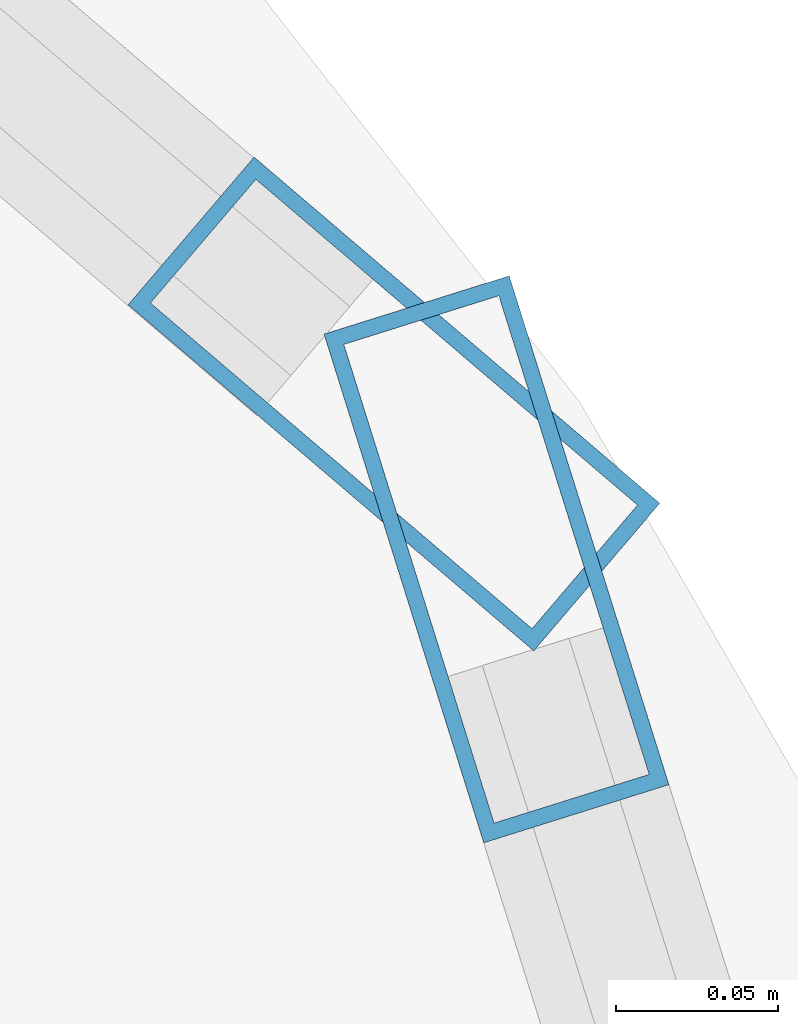
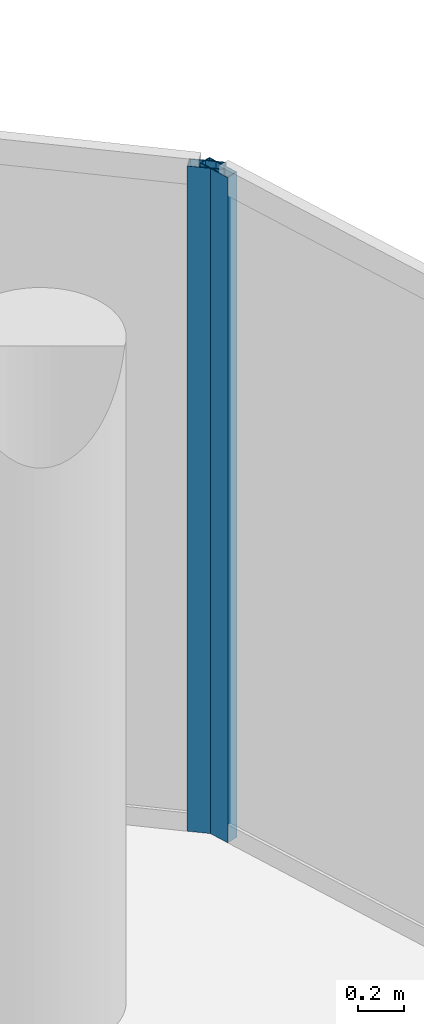
# One storey, part 14 of 24: 2 members, 2 elements without a shape of their own.
"""IFC4 building model written with IfcOpenShell, lengths in metres."""

from ifc_helpers import new_model, si_unit, direction, frame, origin, origin_2d, place, context, subcontext, project, spatial, hollow_rectangle, extrude, material, layer, layer_set, material_profile, profile_set, type_object, element, aggregate, save


model = new_model("IFC4")

# Units and contexts
model_context = context("Model", 3, precision=1e-05, world=origin(), true_north=direction((0.0, 1.0)))
body_context = subcontext(model_context, "Body", "Model", "MODEL_VIEW")
ifc_project = project(units=[si_unit("LENGTHUNIT", "METRE"), si_unit("AREAUNIT", "SQUARE_METRE"), si_unit("VOLUMEUNIT", "CUBIC_METRE"), si_unit("PLANEANGLEUNIT", "RADIAN"), si_unit("MASSUNIT", "GRAM", prefix="KILO")], contexts=[model_context])

# Site, building, storey
site_placement = place(None, origin())
site = spatial("IfcSite", under=ifc_project, at=site_placement, CompositionType="ELEMENT")
building_placement = place(site_placement, origin())
building = spatial("IfcBuilding", under=site, at=building_placement, Name="Nuhasar Tower", CompositionType="ELEMENT")
storey_placement = place(building_placement, frame((0.0, 0.0, 274.60009765625)))
storey = spatial("IfcBuildingStorey", under=building, at=storey_placement, Name="L68", CompositionType="ELEMENT", Elevation=274.60009765625)

# Curtain wall, member
ifc_material = material(Name="Aluminium 6063-T6", Category="aluminium")
ifc_layer = layer(ifc_material, 0.18994140625)
ifc_layer_set = layer_set([ifc_layer], Name="Aluminium 6063-T6")
curtain_wall_type = type_object("IfcCurtainWallType", Name="CW-Z4-PEN", PredefinedType="NOTDEFINED", material=ifc_layer_set)
curtain_wall_1_placement = place(storey_placement, origin())
curtain_wall_1 = element("IfcCurtainWall", 1, at=curtain_wall_1_placement, inside=storey, type_object=curtain_wall_type, Name="L68 Unitised Curtain Wall 01", PredefinedType="NOTDEFINED")
ifc_material_profile = material_profile(ifc_material, hollow_rectangle(XDim=0.06005859375, YDim=0.1650390625, WallThickness=0.0048828125, at=origin_2d()), Name="CWM-5")
ifc_profile_set = profile_set([ifc_material_profile], Name="Aluminium 6063-T6")
member_type = type_object("IfcMemberType", Name="CW-MUL-S5", PredefinedType="MULLION", material=ifc_profile_set)
member_1_placement = place(storey_placement, frame((56.72802734375, 35.50146484375, 0.0), z_axis=(0.0, 0.0, 1.0), x_axis=(-0.954078526601, -0.299556614146, 0.0)))
member_1 = element("IfcMember", 2, at=member_1_placement, type_object=member_type, Name="CW-Z4 mullion 2", PredefinedType="MULLION", context=body_context, shape_type="SweptSolid", body=[
    extrude(hollow_rectangle(XDim=0.06005859375, YDim=0.1650390625, WallThickness=0.0048828125, at=origin_2d()), origin(), (0.0, 0.0, 1.0), 3.539794921875),
])
aggregate(curtain_wall_1, [member_1])

curtain_wall_2_placement = place(storey_placement, origin())
curtain_wall_2 = element("IfcCurtainWall", 3, at=curtain_wall_2_placement, inside=storey, type_object=curtain_wall_type, Name="L68 Unitised Curtain Wall 02", PredefinedType="NOTDEFINED")
member_2_placement = place(storey_placement, frame((56.6962890625, 35.549560546875, 0.0), z_axis=(0.0, 0.0, 1.0), x_axis=(-0.649141996205, -0.760667252327, 0.0)))
member_2 = element("IfcMember", 4, at=member_2_placement, type_object=member_type, Name="CW-Z4 mullion 1", PredefinedType="MULLION", context=body_context, shape_type="SweptSolid", body=[
    extrude(hollow_rectangle(XDim=0.06005859375, YDim=0.1650390625, WallThickness=0.0048828125, at=origin_2d()), origin(), (0.0, 0.0, 1.0), 3.539794921875),
])
aggregate(curtain_wall_2, [member_2])

save(model, "model.ifc")
